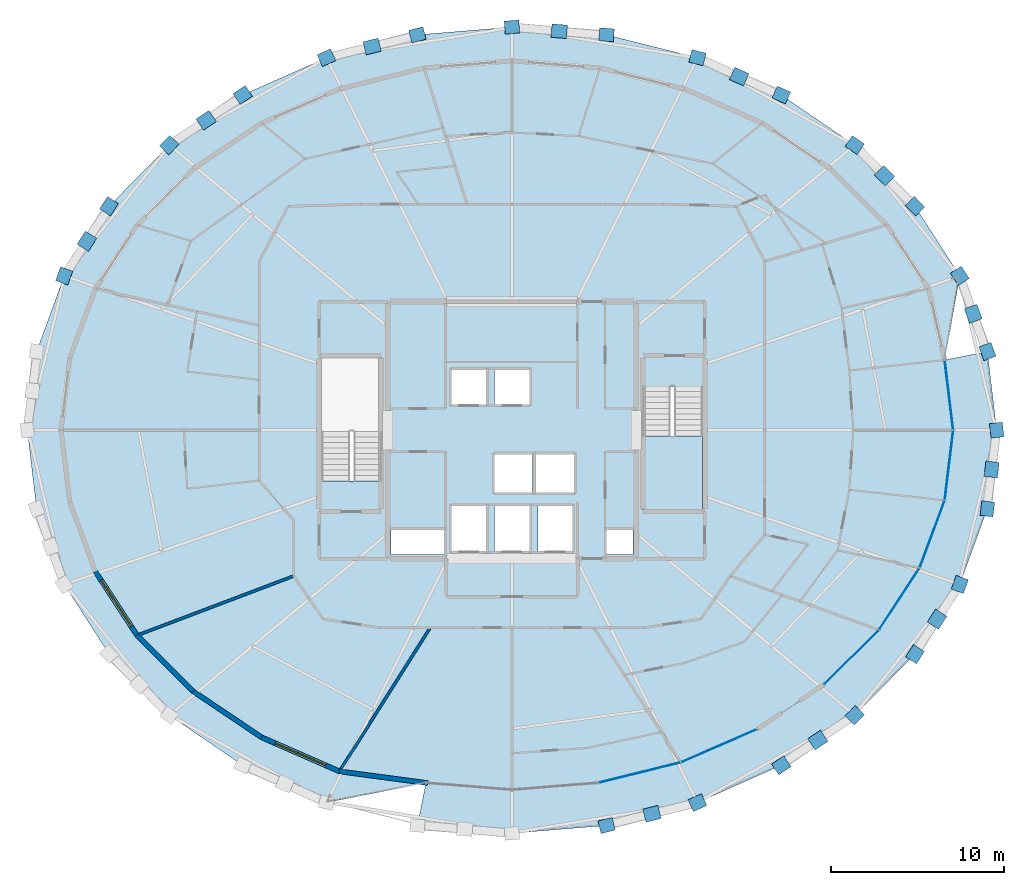
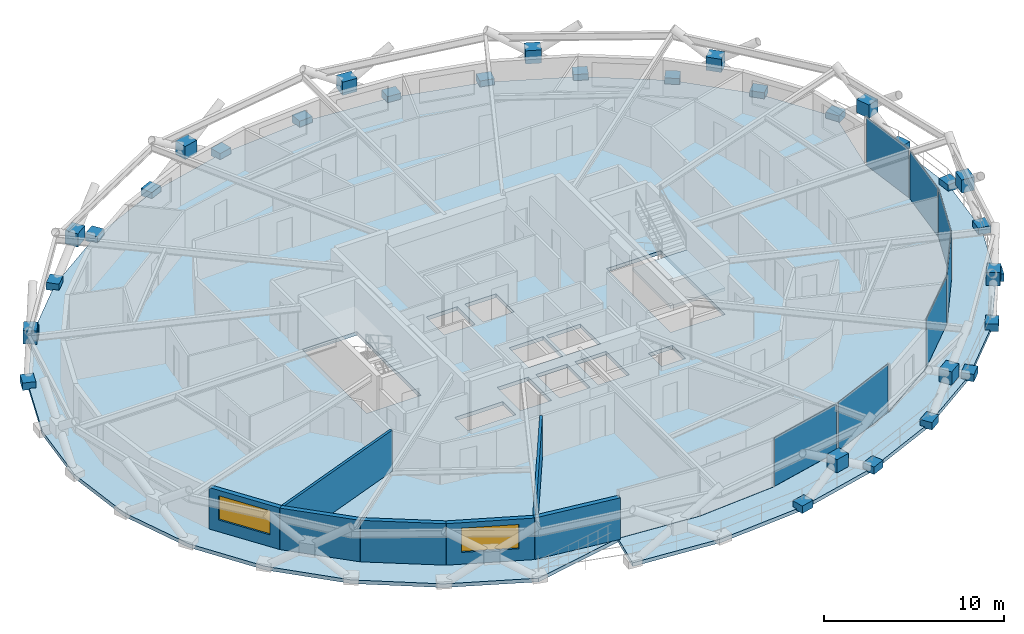
# One storey, part 13 of 19: 40 plates, 7 walls, 3 slabs, 2 windows, 2 openings, 3 elements without a shape of their own.
"""IFC4 building model written with IfcOpenShell, lengths in metres."""

from ifc_helpers import new_model, si_unit, direction, frame, frame_2d, origin, origin_2d, place, context, subcontext, project, spatial, polyline, rectangle, outline, extrude, material, layer, layer_set, type_object, element, fill, aggregate, save


model = new_model("IFC4")

# Units and contexts
model_context = context("Model", 3, precision=1e-05, world=origin(), true_north=direction((0.0, 1.0)))
body_context = subcontext(model_context, "Body", "Model", "MODEL_VIEW")
ifc_project = project(units=[si_unit("LENGTHUNIT", "METRE"), si_unit("AREAUNIT", "SQUARE_METRE"), si_unit("VOLUMEUNIT", "CUBIC_METRE"), si_unit("PLANEANGLEUNIT", "RADIAN"), si_unit("MASSUNIT", "GRAM", prefix="KILO")], contexts=[model_context])

# Site, building, storey
site_placement = place(None, origin())
site = spatial("IfcSite", under=ifc_project, at=site_placement, CompositionType="ELEMENT")
building_placement = place(site_placement, origin())
building = spatial("IfcBuilding", under=site, at=building_placement, Name="Veldorina Hangang Commons", CompositionType="ELEMENT")
storey_placement = place(building_placement, frame((0.0, 0.0, 167.60009765625)))
storey = spatial("IfcBuildingStorey", under=building, at=storey_placement, Name="L43", CompositionType="ELEMENT", Elevation=167.60009765625)

# Curtain wall, plates
ifc_material_1 = material(Name="Glass Low-E Triple IGU", Category="glass")
ifc_layer_1 = layer(ifc_material_1, 0.179931640625)
ifc_layer_set_1 = layer_set([ifc_layer_1], Name="Glass Low-E Triple IGU")
curtain_wall_type = type_object("IfcCurtainWallType", Name="CW-SYS-Z2", PredefinedType="NOTDEFINED", material=ifc_layer_set_1)
curtain_wall_1_placement = place(storey_placement, origin())
curtain_wall_1 = element("IfcCurtainWall", 1, at=curtain_wall_1_placement, inside=storey, type_object=curtain_wall_type, Name="L43 unitised curtain wall CW-L43-R1", PredefinedType="NOTDEFINED")
ifc_layer_2 = layer(ifc_material_1, 0.0400390625)
ifc_layer_set_2 = layer_set([ifc_layer_2], Name="Glass Low-E Triple IGU")
plate_type_1 = type_object("IfcPlateType", Name="CW-PNL-VIS", PredefinedType="CURTAIN_PANEL", material=ifc_layer_set_2)
plate_1_placement = place(storey_placement, frame((39.388427734375, 4.147216796875, 0.0146484375), z_axis=(0.0, 0.0, 1.0), x_axis=(0.970762584161, 0.240041673865, 0.0)))
plate_1 = element("IfcPlate", 2, at=plate_1_placement, type_object=plate_type_1, Name="CW-L43-R1 facet 3 glazed vision panel", PredefinedType="CURTAIN_PANEL", context=body_context, shape_type="SweptSolid", body=[
    extrude(rectangle(XDim=4.76220703125, YDim=0.0400390625, at=origin_2d()), origin(), (0.0, 0.0, 1.0), 3.280029296875),
])
plate_2_placement = place(storey_placement, frame((43.998046875, 5.703369140625, 0.0146484375), z_axis=(0.0, 0.0, 1.0), x_axis=(0.916767529688, 0.399421201877, 0.0)))
plate_2 = element("IfcPlate", 3, at=plate_2_placement, type_object=plate_type_1, Name="CW-L43-R1 facet 4 glazed vision panel", PredefinedType="CURTAIN_PANEL", context=body_context, shape_type="SweptSolid", body=[
    extrude(rectangle(XDim=4.64306640625, YDim=0.0400390625, at=origin_2d()), origin(), (0.0, 0.0, 1.0), 3.280029296875),
])
aggregate(curtain_wall_1, [plate_1, plate_2])

curtain_wall_2_placement = place(storey_placement, origin())
curtain_wall_2 = element("IfcCurtainWall", 4, at=curtain_wall_2_placement, inside=storey, type_object=curtain_wall_type, Name="L43 unitised curtain wall CW-L43-R2", PredefinedType="NOTDEFINED")
plate_3_placement = place(storey_placement, frame((51.6748046875, 10.838623046875, 0.0146484375), z_axis=(0.0, 0.0, 1.0), x_axis=(0.7095092429, 0.704696129009, 0.0)))
plate_3 = element("IfcPlate", 5, at=plate_3_placement, type_object=plate_type_1, Name="CW-L43-R2 facet 1 glazed vision panel", PredefinedType="CURTAIN_PANEL", context=body_context, shape_type="SweptSolid", body=[
    extrude(rectangle(XDim=4.302734375, YDim=0.0400390625, at=origin_2d()), origin(), (0.0, 0.0, 1.0), 3.280029296875),
])
plate_4_placement = place(storey_placement, frame((54.44677734375, 14.22021484375, 0.0146484375), z_axis=(0.0, 0.0, 1.0), x_axis=(0.548366207167, 0.836238305053, 0.0)))
plate_4 = element("IfcPlate", 6, at=plate_4_placement, type_object=plate_type_1, Name="CW-L43-R2 facet 2 glazed vision panel", PredefinedType="CURTAIN_PANEL", context=body_context, shape_type="SweptSolid", body=[
    extrude(rectangle(XDim=4.1298828125, YDim=0.0400390625, at=origin_2d()), origin(), (0.0, 0.0, 1.0), 3.280029296875),
])
plate_5_placement = place(storey_placement, frame((56.356201171875, 17.977783203125, 0.0146484375), z_axis=(0.0, 0.0, 1.0), x_axis=(0.348784700885, 0.937202876878, 0.0)))
plate_5 = element("IfcPlate", 7, at=plate_5_placement, type_object=plate_type_1, Name="CW-L43-R2 facet 3 glazed vision panel", PredefinedType="CURTAIN_PANEL", context=body_context, shape_type="SweptSolid", body=[
    extrude(rectangle(XDim=3.99267578125, YDim=0.0400390625, at=origin_2d()), origin(), (0.0, 0.0, 1.0), 3.280029296875),
])
plate_6_placement = place(storey_placement, frame((57.32958984375, 21.966552734375, 0.0146484375), z_axis=(0.0, 0.0, 1.0), x_axis=(0.119946240895, 0.992780388251, 0.0)))
plate_6 = element("IfcPlate", 8, at=plate_6_placement, type_object=plate_type_1, Name="CW-L43-R2 facet 4 glazed vision panel", PredefinedType="CURTAIN_PANEL", context=body_context, shape_type="SweptSolid", body=[
    extrude(rectangle(XDim=3.91650390625, YDim=0.0400390625, at=origin_2d()), origin(), (0.0, 0.0, 1.0), 3.280029296875),
])
plate_7_placement = place(storey_placement, frame((57.32958984375, 26.033447265625, 0.0146484375), z_axis=(0.0, 0.0, 1.0), x_axis=(-0.119946240895, 0.992780388251, 0.0)))
plate_7 = element("IfcPlate", 9, at=plate_7_placement, type_object=plate_type_1, Name="CW-L43-R2 facet 5 glazed vision panel", PredefinedType="CURTAIN_PANEL", context=body_context, shape_type="SweptSolid", body=[
    extrude(rectangle(XDim=3.91650390625, YDim=0.0400390625, at=origin_2d()), origin(), (0.0, 0.0, 1.0), 3.280029296875),
])
aggregate(curtain_wall_2, [plate_3, plate_4, plate_5, plate_6, plate_7])

# Plates
ifc_material_2 = material(Name="Steel SM460-TMC", Category="steel")
ifc_layer_3 = layer(ifc_material_2, 0.035888671875)
ifc_layer_set_3 = layer_set([ifc_layer_3], Name="Steel SM460-TMC")
plate_type_2 = type_object("IfcPlateType", Name="PL-STAR-36", PredefinedType="USERDEFINED", material=ifc_layer_set_3)
for number, where, z_axis, x_axis, name in (
    (10, (60.09521484375, 24.0, -0.090087890625), (0.0, 0.0, 1.0), (-0.11758939424, 0.99306230135, 0.0), "L43 diagrid star-node gusset plate 00"),
    (11, (59.555419921875, 28.55859375, -0.090087890625), (0.0, 0.0, 1.0), (-0.342659692521, 0.939459597386, 0.0), "L43 diagrid star-node gusset plate 01"),
):
    element("IfcPlate", number, at=place(storey_placement, frame(where, z_axis=z_axis, x_axis=x_axis)), inside=storey, type_object=plate_type_2, Name=name, ObjectType="GUSSET PLATE", PredefinedType="USERDEFINED", context=body_context, shape_type="SweptSolid", body=[
        extrude(rectangle(XDim=0.85009765625, YDim=0.75, at=origin_2d()), origin(), (0.0, 0.0, 1.0), 0.5),
    ])
plate_8_placement = place(storey_placement, frame((58.7333984375, 30.74560546875, 1.351318359375), z_axis=(0.0, 0.0, 1.0), x_axis=(-0.342659692521, 0.939459597386, 0.0)))
element("IfcPlate", 12, at=plate_8_placement, inside=storey, type_object=plate_type_2, Name="L43 diagrid X-crossing star-node gusset plate 01", ObjectType="GUSSET PLATE", PredefinedType="USERDEFINED", context=body_context, shape_type="SweptSolid", body=[
    extrude(rectangle(XDim=0.89990234375, YDim=0.780029296875, at=origin_2d()), origin(), (0.0, 0.0, 1.0), 0.89990234375),
])
for number, where, z_axis, x_axis, name in (
    (13, (57.95654296875, 32.94189453125, -0.090087890625), (0.0, 0.0, 1.0), (-0.540651495699, 0.841246670245, 0.0), "L43 diagrid star-node gusset plate 02"),
    (14, (55.3603515625, 36.981689453125, -0.090087890625), (0.0, 0.0, 1.0), (-0.702364284466, 0.711817681648, 0.0), "L43 diagrid star-node gusset plate 03"),
):
    element("IfcPlate", number, at=place(storey_placement, frame(where, z_axis=z_axis, x_axis=x_axis)), inside=storey, type_object=plate_type_2, Name=name, ObjectType="GUSSET PLATE", PredefinedType="USERDEFINED", context=body_context, shape_type="SweptSolid", body=[
        extrude(rectangle(XDim=0.85009765625, YDim=0.75, at=origin_2d()), origin(), (0.0, 0.0, 1.0), 0.5),
    ])
plate_9_placement = place(storey_placement, frame((53.59521484375, 38.741943359375, 1.351318359375), z_axis=(0.0, 0.0, 1.0), x_axis=(-0.702364284466, 0.711817681648, 0.0)))
element("IfcPlate", 15, at=plate_9_placement, inside=storey, type_object=plate_type_2, Name="L43 diagrid X-crossing star-node gusset plate 03", ObjectType="GUSSET PLATE", PredefinedType="USERDEFINED", context=body_context, shape_type="SweptSolid", body=[
    extrude(rectangle(XDim=0.89990234375, YDim=0.780029296875, at=origin_2d()), origin(), (0.0, 0.0, 1.0), 0.89990234375),
])
for number, where, z_axis, x_axis, name in (
    (16, (51.8662109375, 40.522705078125, -0.090087890625), (0.0, 0.0, 1.0), (-0.825940896128, 0.563756717125, 0.0), "L43 diagrid star-node gusset plate 04"),
    (17, (47.60888671875, 43.4287109375, -0.090087890625), (0.0, 0.0, 1.0), (-0.913779569594, 0.40621041123, 0.0), "L43 diagrid star-node gusset plate 05"),
):
    element("IfcPlate", number, at=place(storey_placement, frame(where, z_axis=z_axis, x_axis=x_axis)), inside=storey, type_object=plate_type_2, Name=name, ObjectType="GUSSET PLATE", PredefinedType="USERDEFINED", context=body_context, shape_type="SweptSolid", body=[
        extrude(rectangle(XDim=0.85009765625, YDim=0.75, at=origin_2d()), origin(), (0.0, 0.0, 1.0), 0.5),
    ])
plate_10_placement = place(storey_placement, frame((45.169189453125, 44.493896484375, 1.3515625), z_axis=(0.0, 0.0, 1.0), x_axis=(-0.913779569594, 0.40621041123, 0.0)))
element("IfcPlate", 18, at=plate_10_placement, inside=storey, type_object=plate_type_2, Name="L43 diagrid X-crossing star-node gusset plate 05", ObjectType="GUSSET PLATE", PredefinedType="USERDEFINED", context=body_context, shape_type="SweptSolid", body=[
    extrude(rectangle(XDim=0.89990234375, YDim=0.780029296875, at=origin_2d()), origin(), (0.0, 0.0, 1.0), 0.89990234375),
])
for number, where, z_axis, x_axis, name in (
    (19, (42.751708984375, 45.587890625, -0.090087890625), (0.0, 0.0, 1.0), (-0.969616370496, 0.244630525623, 0.0), "L43 diagrid star-node gusset plate 06"),
    (20, (37.481201171875, 46.917724609375, -0.090087890625), (0.0, 0.0, 1.0), (-0.996661654593, 0.081642796762, 0.0), "L43 diagrid star-node gusset plate 07"),
):
    element("IfcPlate", number, at=place(storey_placement, frame(where, z_axis=z_axis, x_axis=x_axis)), inside=storey, type_object=plate_type_2, Name=name, ObjectType="GUSSET PLATE", PredefinedType="USERDEFINED", context=body_context, shape_type="SweptSolid", body=[
        extrude(rectangle(XDim=0.85009765625, YDim=0.75, at=origin_2d()), origin(), (0.0, 0.0, 1.0), 0.5),
    ])
plate_11_placement = place(storey_placement, frame((34.73828125, 47.125732421875, 1.3515625), z_axis=(0.0, 0.0, 1.0), x_axis=(-0.996661654593, 0.081642796762, 0.0)))
element("IfcPlate", 21, at=plate_11_placement, inside=storey, type_object=plate_type_2, Name="L43 diagrid X-crossing star-node gusset plate 07", ObjectType="GUSSET PLATE", PredefinedType="USERDEFINED", context=body_context, shape_type="SweptSolid", body=[
    extrude(rectangle(XDim=0.89990234375, YDim=0.780029296875, at=origin_2d()), origin(), (0.0, 0.0, 1.0), 0.89990234375),
])
for number, where, z_axis, x_axis, name in (
    (22, (32.0, 47.36669921875, -0.090087890625), (0.0, 0.0, 1.0), (-0.996661654593, -0.081642796762, 0.0), "L43 diagrid star-node gusset plate 08"),
    (23, (26.518798828125, 46.917724609375, -0.090087890625), (0.0, 0.0, 1.0), (-0.969616370496, -0.244630525623, 0.0), "L43 diagrid star-node gusset plate 09"),
):
    element("IfcPlate", number, at=place(storey_placement, frame(where, z_axis=z_axis, x_axis=x_axis)), inside=storey, type_object=plate_type_2, Name=name, ObjectType="GUSSET PLATE", PredefinedType="USERDEFINED", context=body_context, shape_type="SweptSolid", body=[
        extrude(rectangle(XDim=0.85009765625, YDim=0.75, at=origin_2d()), origin(), (0.0, 0.0, 1.0), 0.5),
    ])
plate_12_placement = place(storey_placement, frame((23.890380859375, 46.23681640625, 1.3515625), z_axis=(0.0, 0.0, 1.0), x_axis=(-0.969616370496, -0.244630525623, 0.0)))
element("IfcPlate", 24, at=plate_12_placement, inside=storey, type_object=plate_type_2, Name="L43 diagrid X-crossing star-node gusset plate 09", ObjectType="GUSSET PLATE", PredefinedType="USERDEFINED", context=body_context, shape_type="SweptSolid", body=[
    extrude(rectangle(XDim=0.89990234375, YDim=0.780029296875, at=origin_2d()), origin(), (0.0, 0.0, 1.0), 0.89990234375),
])
for number, where, z_axis, x_axis, name in (
    (25, (21.248291015625, 45.587890625, -0.090087890625), (0.0, 0.0, 1.0), (-0.913779569594, -0.40621041123, 0.0), "L43 diagrid star-node gusset plate 10"),
    (26, (16.39111328125, 43.4287109375, -0.090087890625), (0.0, 0.0, 1.0), (-0.825940896128, -0.563756717125, 0.0), "L43 diagrid star-node gusset plate 11"),
):
    element("IfcPlate", number, at=place(storey_placement, frame(where, z_axis=z_axis, x_axis=x_axis)), inside=storey, type_object=plate_type_2, Name=name, ObjectType="GUSSET PLATE", PredefinedType="USERDEFINED", context=body_context, shape_type="SweptSolid", body=[
        extrude(rectangle(XDim=0.85009765625, YDim=0.75, at=origin_2d()), origin(), (0.0, 0.0, 1.0), 0.5),
    ])
plate_13_placement = place(storey_placement, frame((14.277587890625, 41.962890625, 1.351318359375), z_axis=(0.0, 0.0, 1.0), x_axis=(-0.825940896128, -0.563756717125, 0.0)))
element("IfcPlate", 27, at=plate_13_placement, inside=storey, type_object=plate_type_2, Name="L43 diagrid X-crossing star-node gusset plate 11", ObjectType="GUSSET PLATE", PredefinedType="USERDEFINED", context=body_context, shape_type="SweptSolid", body=[
    extrude(rectangle(XDim=0.89990234375, YDim=0.780029296875, at=origin_2d()), origin(), (0.0, 0.0, 1.0), 0.89990234375),
])
for number, where, z_axis, x_axis, name in (
    (28, (12.1337890625, 40.522705078125, -0.090087890625), (0.0, 0.0, 1.0), (-0.702364284466, -0.711817681648, 0.0), "L43 diagrid star-node gusset plate 12"),
    (29, (8.6396484375, 36.981689453125, -0.090087890625), (0.0, 0.0, 1.0), (-0.540651495699, -0.841246670245, 0.0), "L43 diagrid star-node gusset plate 13"),
):
    element("IfcPlate", number, at=place(storey_placement, frame(where, z_axis=z_axis, x_axis=x_axis)), inside=storey, type_object=plate_type_2, Name=name, ObjectType="GUSSET PLATE", PredefinedType="USERDEFINED", context=body_context, shape_type="SweptSolid", body=[
        extrude(rectangle(XDim=0.85009765625, YDim=0.75, at=origin_2d()), origin(), (0.0, 0.0, 1.0), 0.5),
    ])
plate_14_placement = place(storey_placement, frame((7.362548828125, 34.9541015625, 1.351318359375), z_axis=(0.0, 0.0, 1.0), x_axis=(-0.540651495699, -0.841246670245, 0.0)))
element("IfcPlate", 30, at=plate_14_placement, inside=storey, type_object=plate_type_2, Name="L43 diagrid X-crossing star-node gusset plate 13", ObjectType="GUSSET PLATE", PredefinedType="USERDEFINED", context=body_context, shape_type="SweptSolid", body=[
    extrude(rectangle(XDim=0.89990234375, YDim=0.780029296875, at=origin_2d()), origin(), (0.0, 0.0, 1.0), 0.89990234375),
])
for number, where, z_axis, x_axis, name in (
    (31, (6.04345703125, 32.94189453125, -0.090087890625), (0.0, 0.0, 1.0), (-0.342659692521, -0.939459597386, 0.0), "L43 diagrid star-node gusset plate 14"),
    (32, (37.481201171875, 1.082275390625, -0.090087890625), (0.0, 0.0, 1.0), (0.969616370496, 0.244630525623, 0.0), "L43 diagrid star-node gusset plate 25"),
):
    element("IfcPlate", number, at=place(storey_placement, frame(where, z_axis=z_axis, x_axis=x_axis)), inside=storey, type_object=plate_type_2, Name=name, ObjectType="GUSSET PLATE", PredefinedType="USERDEFINED", context=body_context, shape_type="SweptSolid", body=[
        extrude(rectangle(XDim=0.85009765625, YDim=0.75, at=origin_2d()), origin(), (0.0, 0.0, 1.0), 0.5),
    ])
plate_15_placement = place(storey_placement, frame((40.109619140625, 1.76318359375, 1.3515625), z_axis=(0.0, 0.0, 1.0), x_axis=(0.969616370496, 0.244630525623, 0.0)))
element("IfcPlate", 33, at=plate_15_placement, inside=storey, type_object=plate_type_2, Name="L43 diagrid X-crossing star-node gusset plate 25", ObjectType="GUSSET PLATE", PredefinedType="USERDEFINED", context=body_context, shape_type="SweptSolid", body=[
    extrude(rectangle(XDim=0.89990234375, YDim=0.780029296875, at=origin_2d()), origin(), (0.0, 0.0, 1.0), 0.89990234375),
])
for number, where, z_axis, x_axis, name in (
    (34, (42.751708984375, 2.412109375, -0.090087890625), (0.0, 0.0, 1.0), (0.913779569594, 0.40621041123, 0.0), "L43 diagrid star-node gusset plate 26"),
    (35, (47.60888671875, 4.5712890625, -0.090087890625), (0.0, 0.0, 1.0), (0.825940896128, 0.563756717125, 0.0), "L43 diagrid star-node gusset plate 27"),
):
    element("IfcPlate", number, at=place(storey_placement, frame(where, z_axis=z_axis, x_axis=x_axis)), inside=storey, type_object=plate_type_2, Name=name, ObjectType="GUSSET PLATE", PredefinedType="USERDEFINED", context=body_context, shape_type="SweptSolid", body=[
        extrude(rectangle(XDim=0.85009765625, YDim=0.75, at=origin_2d()), origin(), (0.0, 0.0, 1.0), 0.5),
    ])
plate_16_placement = place(storey_placement, frame((49.722412109375, 6.037109375, 1.351318359375), z_axis=(0.0, 0.0, 1.0), x_axis=(0.825940896128, 0.563756717125, 0.0)))
element("IfcPlate", 36, at=plate_16_placement, inside=storey, type_object=plate_type_2, Name="L43 diagrid X-crossing star-node gusset plate 27", ObjectType="GUSSET PLATE", PredefinedType="USERDEFINED", context=body_context, shape_type="SweptSolid", body=[
    extrude(rectangle(XDim=0.89990234375, YDim=0.780029296875, at=origin_2d()), origin(), (0.0, 0.0, 1.0), 0.89990234375),
])
for number, where, z_axis, x_axis, name in (
    (37, (51.8662109375, 7.477294921875, -0.090087890625), (0.0, 0.0, 1.0), (0.702364284466, 0.711817681648, 0.0), "L43 diagrid star-node gusset plate 28"),
    (38, (55.3603515625, 11.018310546875, -0.090087890625), (0.0, 0.0, 1.0), (0.540651495699, 0.841246670245, 0.0), "L43 diagrid star-node gusset plate 29"),
):
    element("IfcPlate", number, at=place(storey_placement, frame(where, z_axis=z_axis, x_axis=x_axis)), inside=storey, type_object=plate_type_2, Name=name, ObjectType="GUSSET PLATE", PredefinedType="USERDEFINED", context=body_context, shape_type="SweptSolid", body=[
        extrude(rectangle(XDim=0.85009765625, YDim=0.75, at=origin_2d()), origin(), (0.0, 0.0, 1.0), 0.5),
    ])
plate_17_placement = place(storey_placement, frame((56.637451171875, 13.0458984375, 1.351318359375), z_axis=(0.0, 0.0, 1.0), x_axis=(0.540651495699, 0.841246670245, 0.0)))
element("IfcPlate", 39, at=plate_17_placement, inside=storey, type_object=plate_type_2, Name="L43 diagrid X-crossing star-node gusset plate 29", ObjectType="GUSSET PLATE", PredefinedType="USERDEFINED", context=body_context, shape_type="SweptSolid", body=[
    extrude(rectangle(XDim=0.89990234375, YDim=0.780029296875, at=origin_2d()), origin(), (0.0, 0.0, 1.0), 0.89990234375),
])
for number, where, z_axis, x_axis, name in (
    (40, (57.95654296875, 15.05810546875, -0.090087890625), (0.0, 0.0, 1.0), (0.342659692521, 0.939459597386, 0.0), "L43 diagrid star-node gusset plate 30"),
    (41, (59.555419921875, 19.44140625, -0.090087890625), (0.0, 0.0, 1.0), (0.11758939424, 0.99306230135, 0.0), "L43 diagrid star-node gusset plate 31"),
):
    element("IfcPlate", number, at=place(storey_placement, frame(where, z_axis=z_axis, x_axis=x_axis)), inside=storey, type_object=plate_type_2, Name=name, ObjectType="GUSSET PLATE", PredefinedType="USERDEFINED", context=body_context, shape_type="SweptSolid", body=[
        extrude(rectangle(XDim=0.85009765625, YDim=0.75, at=origin_2d()), origin(), (0.0, 0.0, 1.0), 0.5),
    ])
plate_18_placement = place(storey_placement, frame((59.8017578125, 21.722412109375, 1.351318359375), z_axis=(0.0, 0.0, 1.0), x_axis=(0.11758939424, 0.99306230135, 0.0)))
element("IfcPlate", 42, at=plate_18_placement, inside=storey, type_object=plate_type_2, Name="L43 diagrid X-crossing star-node gusset plate 31", ObjectType="GUSSET PLATE", PredefinedType="USERDEFINED", context=body_context, shape_type="SweptSolid", body=[
    extrude(rectangle(XDim=0.89990234375, YDim=0.780029296875, at=origin_2d()), origin(), (0.0, 0.0, 1.0), 0.89990234375),
])

# Slabs
ifc_material_3 = material(Name="Concrete C40/50", Category="concrete")
ifc_layer_4 = layer(ifc_material_3, 0.25)
ifc_layer_set_4 = layer_set([ifc_layer_4], Name="Concrete C40/50")
slab_type_1 = type_object("IfcSlabType", Name="SL-FLR-250", PredefinedType="FLOOR", material=ifc_layer_set_4)
slab_1_placement = place(storey_placement, frame((0.0, 0.0, -0.25)))
element("IfcSlab", 43, at=slab_1_placement, inside=storey, type_object=slab_type_1, Name="L43 tower structural floor slab", PredefinedType="FLOOR", context=body_context, shape_type="SweptSolid", body=[
    extrude(outline(polyline([(57.5751953125, 24.0), (57.083740234375, 28.06689453125), (57.95654296875, 32.94189453125), (55.3603515625, 36.981689453125), (51.8662109375, 40.522705078125), (47.60888671875, 43.4287109375), (42.751708984375, 45.587890625), (37.481201171875, 46.917724609375), (32.0, 47.36669921875), (26.518798828125, 46.917724609375), (21.248291015625, 45.587890625), (16.39111328125, 43.4287109375), (12.1337890625, 40.522705078125), (8.6396484375, 36.981689453125), (6.04345703125, 32.94189453125), (4.444580078125, 28.55859375), (3.90478515625, 24.0), (4.444580078125, 19.44140625), (6.04345703125, 15.05810546875), (8.6396484375, 11.018310546875), (12.1337890625, 7.477294921875), (16.39111328125, 4.5712890625), (21.248291015625, 2.412109375), (27.010498046875, 3.553955078125), (32.0, 3.1533203125), (36.989501953125, 3.553955078125), (41.787109375, 4.740234375), (46.208740234375, 6.66650390625), (50.08447265625, 9.25927734375), (53.264892578125, 12.418212890625), (55.62841796875, 16.022216796875), (57.083740234375, 19.93310546875), (57.5751953125, 24.0)]), holes=[polyline([(20.949951171875, 21.05810546875), (20.949951171875, 28.199951171875), (24.449951171875, 28.199951171875), (24.449951171875, 21.05810546875), (20.949951171875, 21.05810546875)]), polyline([(43.050048828125, 26.5419921875), (43.050048828125, 19.39990234375), (39.550048828125, 19.39990234375), (39.550048828125, 26.5419921875), (43.050048828125, 26.5419921875)]), polyline([(28.5, 27.5), (30.5, 27.5), (30.5, 25.5), (28.5, 25.5), (28.5, 27.5)]), polyline([(31.0, 27.5), (33.0, 27.5), (33.0, 25.5), (31.0, 25.5), (31.0, 27.5)]), polyline([(31.0, 22.60009765625), (33.199951171875, 22.60009765625), (33.199951171875, 20.39990234375), (31.0, 20.39990234375), (31.0, 22.60009765625)]), polyline([(33.39990234375, 22.60009765625), (35.60009765625, 22.60009765625), (35.60009765625, 20.39990234375), (33.39990234375, 20.39990234375), (33.39990234375, 22.60009765625)]), polyline([(28.5, 19.60009765625), (30.5, 19.60009765625), (30.5, 17.0), (28.5, 17.0), (28.5, 19.60009765625)]), polyline([(31.0, 19.60009765625), (33.0, 19.60009765625), (33.0, 17.0), (31.0, 17.0), (31.0, 19.60009765625)]), polyline([(33.5, 19.60009765625), (35.5, 19.60009765625), (35.5, 17.0), (33.5, 17.0), (33.5, 19.60009765625)]), polyline([(25.0, 18.25), (28.10009765625, 18.25), (28.10009765625, 16.800048828125), (25.0, 16.800048828125), (25.0, 18.25)]), polyline([(37.449951171875, 18.25), (39.0, 18.25), (39.0, 16.800048828125), (37.449951171875, 16.800048828125), (37.449951171875, 18.25)])]), origin(), (0.0, 0.0, 1.0), 0.25),
])
slab_2_placement = place(storey_placement, frame((0.0, 0.0, -0.25)))
element("IfcSlab", 44, at=slab_2_placement, inside=storey, type_object=slab_type_1, Name="L43 sky-garden loggia outdoor slab", PredefinedType="FLOOR", context=body_context, shape_type="SweptSolid", body=[
    extrude(outline(polyline([(59.555419921875, 28.55859375), (60.09521484375, 24.0), (59.555419921875, 19.44140625), (57.95654296875, 15.05810546875), (55.3603515625, 11.018310546875), (51.8662109375, 7.477294921875), (47.60888671875, 4.5712890625), (42.751708984375, 2.412109375), (37.481201171875, 1.082275390625), (32.0, 0.63330078125), (26.518798828125, 1.082275390625), (27.00732421875, 3.5380859375), (27.011474609375, 3.538818359375), (31.998779296875, 3.13818359375), (32.0, 3.13818359375), (32.001220703125, 3.13818359375), (36.99072265625, 3.538818359375), (36.991943359375, 3.5390625), (36.9931640625, 3.539306640625), (41.790771484375, 4.7255859375), (41.7919921875, 4.72607421875), (41.793212890625, 4.726318359375), (46.21484375, 6.65283203125), (46.216064453125, 6.6533203125), (46.217041015625, 6.654052734375), (50.0927734375, 9.24658203125), (50.093994140625, 9.24755859375), (50.094970703125, 9.24853515625), (53.275634765625, 12.40771484375), (53.276611328125, 12.40869140625), (53.277587890625, 12.409912109375), (55.640869140625, 16.01416015625), (55.641845703125, 16.015380859375), (55.642578125, 16.01708984375), (57.097900390625, 19.927734375), (57.098388671875, 19.929443359375), (57.0986328125, 19.93115234375), (57.590087890625, 23.998291015625), (57.590087890625, 24.0), (57.590087890625, 24.001708984375), (57.09912109375, 28.066650390625), (57.099609375, 28.070068359375), (59.555419921875, 28.55859375)])), origin(), (0.0, 0.0, 1.0), 0.25),
])

# Stair, slab
stair_type = type_object("IfcStairType", Name="STR-DOG-1650-20R", PredefinedType="HALF_TURN_STAIR", material=ifc_material_3)
stair_placement = place(storey_placement, origin())
stair = element("IfcStair", 45, at=stair_placement, inside=storey, type_object=stair_type, Name="L43 Exit stair ST-2", PredefinedType="HALF_TURN_STAIR")
ifc_layer_5 = layer(ifc_material_3, 0.199951171875)
ifc_layer_set_5 = layer_set([ifc_layer_5], Name="Concrete C40/50")
slab_type_2 = type_object("IfcSlabType", Name="SL-LND-200", PredefinedType="LANDING", material=ifc_layer_set_5)
slab_3_placement = place(storey_placement, frame((0.0, 0.0, 1.599853515625)))
slab_3 = element("IfcSlab", 46, at=slab_3_placement, type_object=slab_type_2, Name="ST-2 landing 1", PredefinedType="LANDING", context=body_context, shape_type="SweptSolid", body=[
    extrude(outline(polyline([(39.550048828125, 23.669921875), (39.550048828125, 19.39990234375), (43.050048828125, 19.39990234375), (43.050048828125, 23.669921875), (39.550048828125, 23.669921875)])), origin(), (0.0, 0.0, 1.0), 0.199951171875),
])
aggregate(stair, [slab_3])

# Wall, opening, window
ifc_material_4 = material(Name="Stone Roman Travertine", Category="masonry")
ifc_layer_6 = layer(ifc_material_4, 0.280029296875)
ifc_layer_set_6 = layer_set([ifc_layer_6], Name="Stone Roman Travertine")
wall_type_1 = type_object("IfcWallType", Name="EW-TRAV-280", PredefinedType="STANDARD", material=ifc_layer_set_6)
wall_1_placement = place(storey_placement, frame((7.854248046875, 15.80810546875, 0.0), z_axis=(0.0, 0.0, 1.0), x_axis=(0.546488523779, -0.837466592395, 0.0)))
wall_1 = element("IfcWall", 47, at=wall_1_placement, inside=storey, type_object=wall_type_1, Name="L43 travertine facade wall 18", PredefinedType="STANDARD", context=body_context, shape_type="SweptSolid", body=[
    extrude(rectangle(XDim=4.419189453125, YDim=0.280029296875, at=frame_2d((2.20947265625, 0.0))), origin(), (0.0, 0.0, 1.0), 2.81982421875),
])
opening_1_placement = place(wall_1_placement, frame((0.609619140625, 0.0, 0.800048828125)))
opening_1 = element("IfcOpeningElement", 48, at=opening_1_placement, cuts=wall_1, Name="Opening W-01", PredefinedType="OPENING", context=body_context, shape_type="SweptSolid", body=[
    extrude(rectangle(XDim=3.199951171875, YDim=1.64990234375, at=frame_2d((1.60009765625, 0.824951171875))), frame((0.0, 0.14990234375, 0.0), z_axis=(0.0, -1.0, 0.0), x_axis=(1.0, 0.0, 0.0)), (0.0, 0.0, 1.0), 0.300048828125),
])
window_type = type_object("IfcWindowType", Name="WIN-TWR-3200", PartitioningType="SINGLE_PANEL", PredefinedType="WINDOW", material=ifc_material_1)
window_1_placement = place(opening_1_placement, origin())
window_1 = element("IfcWindow", 49, at=window_1_placement, inside=storey, type_object=window_type, Name="L43 facade window 18", OverallHeight=1.64990234375, OverallWidth=3.199951171875, PartitioningType="SINGLE_PANEL", PredefinedType="WINDOW", context=body_context, shape_type="SweptSolid", body=[
    extrude(rectangle(XDim=3.199951171875, YDim=1.64990234375, at=frame_2d((1.60009765625, 0.824951171875))), frame((0.0, 0.030029296875, 0.0), z_axis=(0.0, -1.0, 0.0), x_axis=(1.0, 0.0, 0.0)), (0.0, 0.0, 1.0), 0.06005859375),
])
fill(opening_1, window_1)

# Walls
wall_2_placement = place(storey_placement, frame((10.269287109375, 12.107177734375, 0.0), z_axis=(0.0, 0.0, 1.0), x_axis=(0.707797600077, -0.706415286729, 0.0)))
element("IfcWall", 50, at=wall_2_placement, inside=storey, type_object=wall_type_1, Name="L43 travertine facade wall 19", PredefinedType="STANDARD", context=body_context, shape_type="SweptSolid", body=[
    extrude(rectangle(XDim=4.592041015625, YDim=0.280029296875, at=frame_2d((2.2958984375, 0.0))), origin(), (0.0, 0.0, 1.0), 2.81982421875),
])
wall_3_placement = place(storey_placement, frame((13.51953125, 8.86328125, 0.0), z_axis=(0.0, 0.0, 1.0), x_axis=(0.829911180813, -0.557895538575, 0.0)))
element("IfcWall", 51, at=wall_3_placement, inside=storey, type_object=wall_type_1, Name="L43 travertine facade wall 20", PredefinedType="STANDARD", context=body_context, shape_type="SweptSolid", body=[
    extrude(rectangle(XDim=4.772216796875, YDim=0.280029296875, at=frame_2d((2.38623046875, 0.0))), origin(), (0.0, 0.0, 1.0), 2.81982421875),
])

# Wall, opening, window
wall_4_placement = place(storey_placement, frame((17.47998046875, 6.200927734375, 0.0), z_axis=(0.0, 0.0, 1.0), x_axis=(0.916070979736, -0.401016159381, 0.0)))
wall_4 = element("IfcWall", 52, at=wall_4_placement, inside=storey, type_object=wall_type_1, Name="L43 travertine facade wall 21", PredefinedType="STANDARD", context=body_context, shape_type="SweptSolid", body=[
    extrude(rectangle(XDim=4.9326171875, YDim=0.280029296875, at=frame_2d((2.46630859375, 0.0))), origin(), (0.0, 0.0, 1.0), 2.81982421875),
])
opening_2_placement = place(wall_4_placement, frame((0.8662109375, 0.0, 0.800048828125)))
opening_2 = element("IfcOpeningElement", 53, at=opening_2_placement, cuts=wall_4, Name="Opening W-01", PredefinedType="OPENING", context=body_context, shape_type="SweptSolid", body=[
    extrude(rectangle(XDim=3.199951171875, YDim=1.64990234375, at=frame_2d((1.60009765625, 0.824951171875))), frame((0.0, 0.14990234375, 0.0), z_axis=(0.0, -1.0, 0.0), x_axis=(1.0, 0.0, 0.0)), (0.0, 0.0, 1.0), 0.300048828125),
])
window_2_placement = place(opening_2_placement, origin())
window_2 = element("IfcWindow", 54, at=window_2_placement, inside=storey, type_object=window_type, Name="L43 facade window 21", OverallHeight=1.64990234375, OverallWidth=3.199951171875, PartitioningType="SINGLE_PANEL", PredefinedType="WINDOW", context=body_context, shape_type="SweptSolid", body=[
    extrude(rectangle(XDim=3.199951171875, YDim=1.64990234375, at=frame_2d((1.60009765625, 0.824951171875))), frame((0.0, 0.030029296875, 0.0), z_axis=(0.0, -1.0, 0.0), x_axis=(1.0, 0.0, 0.0)), (0.0, 0.0, 1.0), 0.06005859375),
])
fill(opening_2, window_2)

# Walls
wall_5_placement = place(storey_placement, frame((21.99853515625, 4.222900390625, 0.0), z_axis=(0.0, 0.0, 1.0), x_axis=(0.991209668923, -0.13230038637, 0.0)))
element("IfcWall", 55, at=wall_5_placement, inside=storey, type_object=wall_type_1, Name="L43 travertine facade wall 22", PredefinedType="STANDARD", context=body_context, shape_type="SweptSolid", body=[
    extrude(rectangle(XDim=5.1484375, YDim=0.280029296875, at=frame_2d((2.57421875, 0.0))), origin(), (0.0, 0.0, 1.0), 2.81982421875),
])
ifc_material_5 = material(Name="Gypsum Fire-Rated Twin Stud Wall", Category="gypsum")
ifc_layer_7 = layer(ifc_material_5, 0.159912109375)
ifc_layer_set_7 = layer_set([ifc_layer_7], Name="Gypsum Fire-Rated Twin Stud Wall")
wall_type_2 = type_object("IfcWallType", Name="WL-FIRE-160", PredefinedType="SOLIDWALL", material=ifc_layer_set_7)
wall_6_placement = place(storey_placement, frame((19.35009765625, 15.547607421875, 0.0), z_axis=(0.0, 0.0, 1.0), x_axis=(-0.935128365782, -0.354309101647, 0.0)))
element("IfcWall", 56, at=wall_6_placement, inside=storey, type_object=wall_type_2, Name="L43 Unit party wall 19 118", PredefinedType="SOLIDWALL", context=body_context, shape_type="SweptSolid", body=[
    extrude(rectangle(XDim=9.66064453125, YDim=0.159912109375, at=frame_2d((4.830322265625, 0.0))), origin(), (0.0, 0.0, 1.0), 2.7998046875),
])
wall_7_placement = place(storey_placement, frame((27.25732421875, 12.550048828125, 0.0), z_axis=(0.0, 0.0, 1.0), x_axis=(-0.53396393122, -0.845507256122, 0.0)))
element("IfcWall", 57, at=wall_7_placement, inside=storey, type_object=wall_type_2, Name="L43 Unit party wall 22 119", PredefinedType="SOLIDWALL", context=body_context, shape_type="SweptSolid", body=[
    extrude(rectangle(XDim=9.798828125, YDim=0.159912109375, at=frame_2d((4.8994140625, 0.0))), origin(), (0.0, 0.0, 1.0), 2.7998046875),
])

save(model, "model.ifc")
